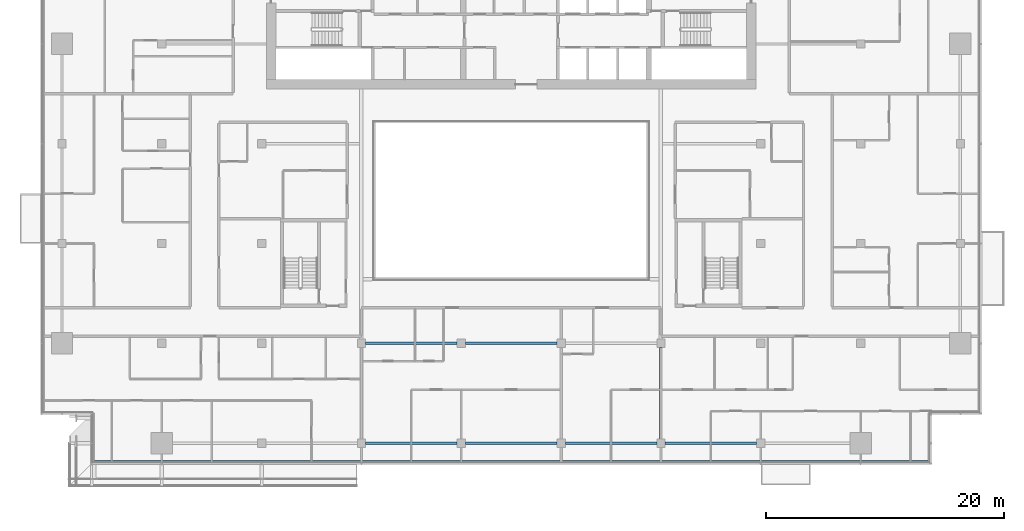
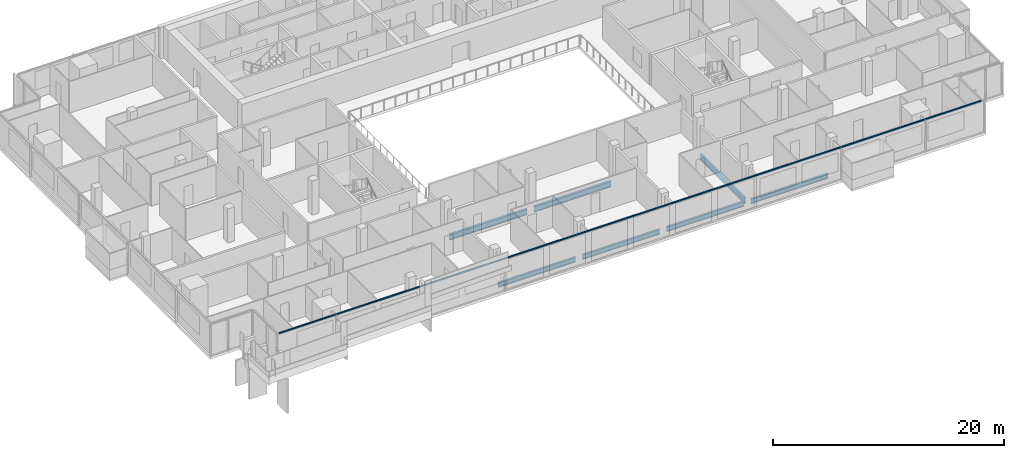
# One storey, part 5 of 30: 7 beams, 1 member, 1 element without a shape of its own.
"""IFC4 building model written with IfcOpenShell, lengths in metres."""

from ifc_helpers import new_model, si_unit, direction, frame, origin, origin_2d, place, context, subcontext, project, spatial, rectangle, i_section, extrude, material, material_profile, profile_set, type_object, element, aggregate, save


model = new_model("IFC4")

# Units and contexts
model_context = context("Model", 3, precision=1e-05, world=origin(), true_north=direction((0.0, 1.0)))
body_context = subcontext(model_context, "Body", "Model", "MODEL_VIEW")
ifc_project = project(units=[si_unit("LENGTHUNIT", "METRE"), si_unit("AREAUNIT", "SQUARE_METRE"), si_unit("VOLUMEUNIT", "CUBIC_METRE"), si_unit("PLANEANGLEUNIT", "RADIAN"), si_unit("MASSUNIT", "GRAM", prefix="KILO")], contexts=[model_context])

# Site, building, storey
site_placement = place(None, origin())
site = spatial("IfcSite", under=ifc_project, at=site_placement, CompositionType="ELEMENT")
building_placement = place(site_placement, origin())
building = spatial("IfcBuilding", under=site, at=building_placement, Name="Saffron Gate Tower", CompositionType="ELEMENT")
storey_placement = place(building_placement, frame((0.0, 0.0, 169.050048828125)))
storey = spatial("IfcBuildingStorey", under=building, at=storey_placement, Name="L41", CompositionType="ELEMENT", Elevation=169.050048828125)

# Beams
ifc_material_1 = material(Name="Structural steel S355", Category="steel")
ifc_material_profile_1 = material_profile(ifc_material_1, i_section(OverallWidth=0.199951171875, OverallDepth=0.5, WebThickness=0.01025390625, FlangeThickness=0.01611328125, FilletRadius=0.02099609375, at=origin_2d()))
ifc_profile_set_1 = profile_set([ifc_material_profile_1], Name="Structural steel S355")
beam_type_1 = type_object("IfcBeamType", Name="B11 IPE 500", PredefinedType="SPANDREL", material=ifc_profile_set_1)
for number, where, z_axis, x_axis, name in (
    (1, (75.35009765625, 31.800048828125, -0.530029296875), (1.0, 0.0, 0.0), (0.0, 1.0, 0.0), "B11 SPANDREL BEAM"),
    (2, (83.75, 31.800048828125, -0.530029296875), (1.0, 0.0, 0.0), (0.0, 1.0, 0.0), "B11 SPANDREL BEAM"),
):
    element("IfcBeam", number, at=place(storey_placement, frame(where, z_axis=z_axis, x_axis=x_axis)), inside=storey, type_object=beam_type_1, Name=name, PredefinedType="SPANDREL", context=body_context, shape_type="SweptSolid", body=[
        extrude(i_section(OverallWidth=0.199951171875, OverallDepth=0.5, WebThickness=0.01025390625, FlangeThickness=0.01611328125, FilletRadius=0.02099609375, at=origin_2d()), origin(), (0.0, 0.0, 1.0), 7.699951171875),
    ])
beam_1_placement = place(storey_placement, frame((92.14990234375, 31.800048828125, -0.530029296875), z_axis=(1.0, 0.0, 0.0), x_axis=(0.0, 1.0, 0.0)))
element("IfcBeam", 3, at=beam_1_placement, inside=storey, type_object=beam_type_1, Name="B11 SPANDREL BEAM", PredefinedType="SPANDREL", context=body_context, shape_type="SweptSolid", body=[
    extrude(i_section(OverallWidth=0.199951171875, OverallDepth=0.5, WebThickness=0.01025390625, FlangeThickness=0.01611328125, FilletRadius=0.02099609375, at=origin_2d()), origin(), (0.0, 0.0, 1.0), 7.7001953125),
])
beam_2_placement = place(storey_placement, frame((100.550048828125, 31.800048828125, -0.530029296875), z_axis=(1.0, 0.0, 0.0), x_axis=(0.0, 1.0, 0.0)))
element("IfcBeam", 4, at=beam_2_placement, inside=storey, type_object=beam_type_1, Name="B11 SPANDREL BEAM", PredefinedType="SPANDREL", context=body_context, shape_type="SweptSolid", body=[
    extrude(i_section(OverallWidth=0.199951171875, OverallDepth=0.5, WebThickness=0.01025390625, FlangeThickness=0.01611328125, FilletRadius=0.02099609375, at=origin_2d()), origin(), (0.0, 0.0, 1.0), 7.699951171875),
])
ifc_material_profile_2 = material_profile(ifc_material_1, i_section(OverallWidth=0.219970703125, OverallDepth=0.60009765625, WebThickness=0.011962890625, FlangeThickness=0.01904296875, FilletRadius=0.02392578125, at=origin_2d()))
ifc_profile_set_2 = profile_set([ifc_material_profile_2], Name="Structural steel S355")
beam_type_2 = type_object("IfcBeamType", Name="B15 IPE 600", PredefinedType="BEAM", material=ifc_profile_set_2)
beam_3_placement = place(storey_placement, frame((100.199951171875, 32.14990234375, -0.580078125), z_axis=(0.0, 1.0, 0.0), x_axis=(-1.0, 0.0, 0.0)))
element("IfcBeam", 5, at=beam_3_placement, inside=storey, type_object=beam_type_2, Name="B15 FLOOR GIRDER", PredefinedType="BEAM", context=body_context, shape_type="SweptSolid", body=[
    extrude(i_section(OverallWidth=0.219970703125, OverallDepth=0.60009765625, WebThickness=0.011962890625, FlangeThickness=0.01904296875, FilletRadius=0.02392578125, at=origin_2d()), origin(), (0.0, 0.0, 1.0), 7.7001953125),
])
for number, where, z_axis, x_axis, name in (
    (6, (75.35009765625, 40.199951171875, -0.580078125), (1.0, 0.0, 0.0), (0.0, 1.0, 0.0), "B15 FLOOR GIRDER"),
    (7, (83.75, 40.199951171875, -0.580078125), (1.0, 0.0, 0.0), (0.0, 1.0, 0.0), "B15 FLOOR GIRDER"),
):
    element("IfcBeam", number, at=place(storey_placement, frame(where, z_axis=z_axis, x_axis=x_axis)), inside=storey, type_object=beam_type_2, Name=name, PredefinedType="BEAM", context=body_context, shape_type="SweptSolid", body=[
        extrude(i_section(OverallWidth=0.219970703125, OverallDepth=0.60009765625, WebThickness=0.011962890625, FlangeThickness=0.01904296875, FilletRadius=0.02392578125, at=origin_2d()), origin(), (0.0, 0.0, 1.0), 7.699951171875),
    ])

# Curtain wall, member
ifc_material_2 = material(Name="Aluminium, bronze anodised", Category="aluminium")
curtain_wall_type = type_object("IfcCurtainWallType", Name="CWS1 curtain wall front facade", PredefinedType="NOTDEFINED", material=ifc_material_2)
curtain_wall_placement = place(storey_placement, origin())
curtain_wall = element("IfcCurtainWall", 8, at=curtain_wall_placement, inside=storey, type_object=curtain_wall_type, Name="CWS1 run 1", PredefinedType="NOTDEFINED")
ifc_material_profile_3 = material_profile(ifc_material_2, rectangle(XDim=0.1201171875, YDim=0.1201171875, at=origin_2d()))
ifc_profile_set_3 = profile_set([ifc_material_profile_3], Name="Aluminium, bronze anodised")
member_type = type_object("IfcMemberType", Name="CWS1 head transom", PredefinedType="USERDEFINED", material=ifc_profile_set_3)
member_placement = place(storey_placement, frame((52.568115234375, 30.248046875, 3.260009765625), z_axis=(1.0, 0.0, 0.0), x_axis=(0.0, 1.0, 0.0)))
member = element("IfcMember", 9, at=member_placement, type_object=member_type, Name="CWS1 head transom", ObjectType="TRANSOM", PredefinedType="USERDEFINED", context=body_context, shape_type="SweptSolid", body=[
    extrude(rectangle(XDim=0.1201171875, YDim=0.1201171875, at=origin_2d()), origin(), (0.0, 0.0, 1.0), 70.06396484375),
])
aggregate(curtain_wall, [member])

save(model, "model.ifc")
